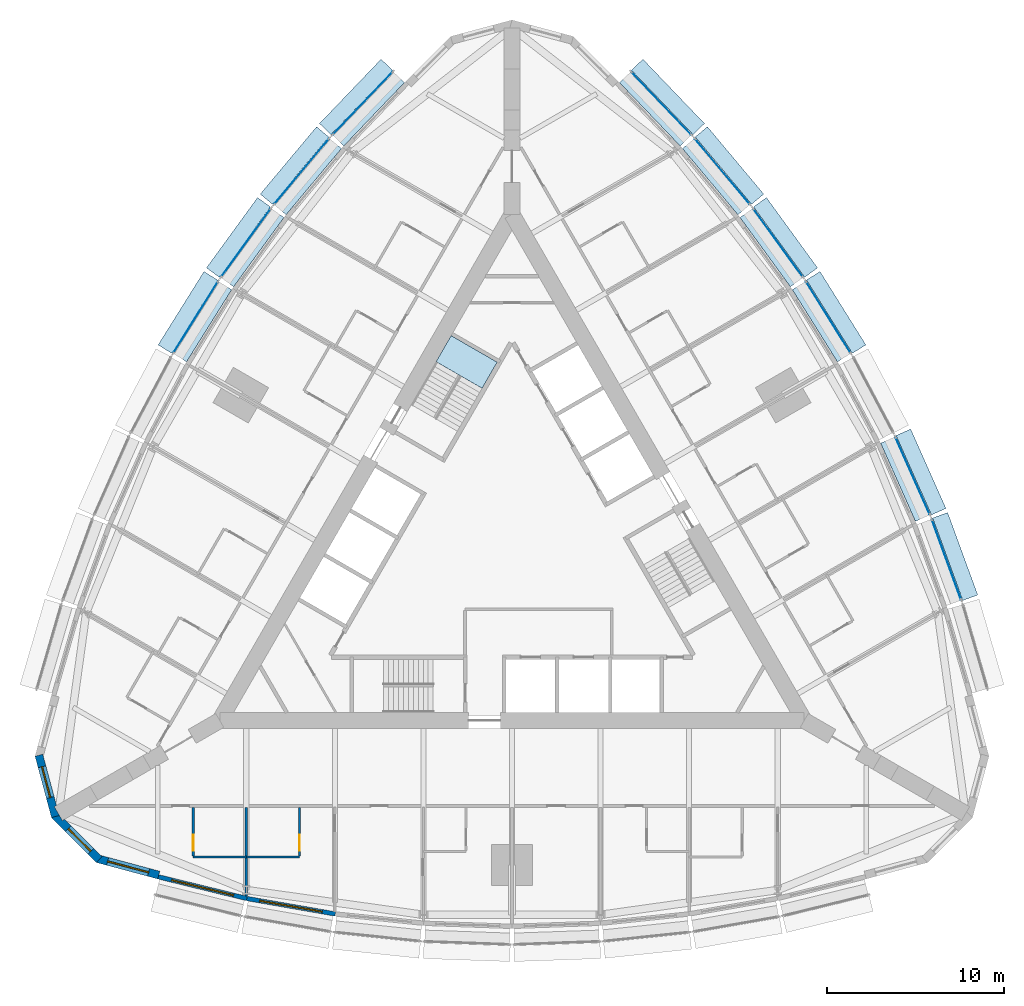
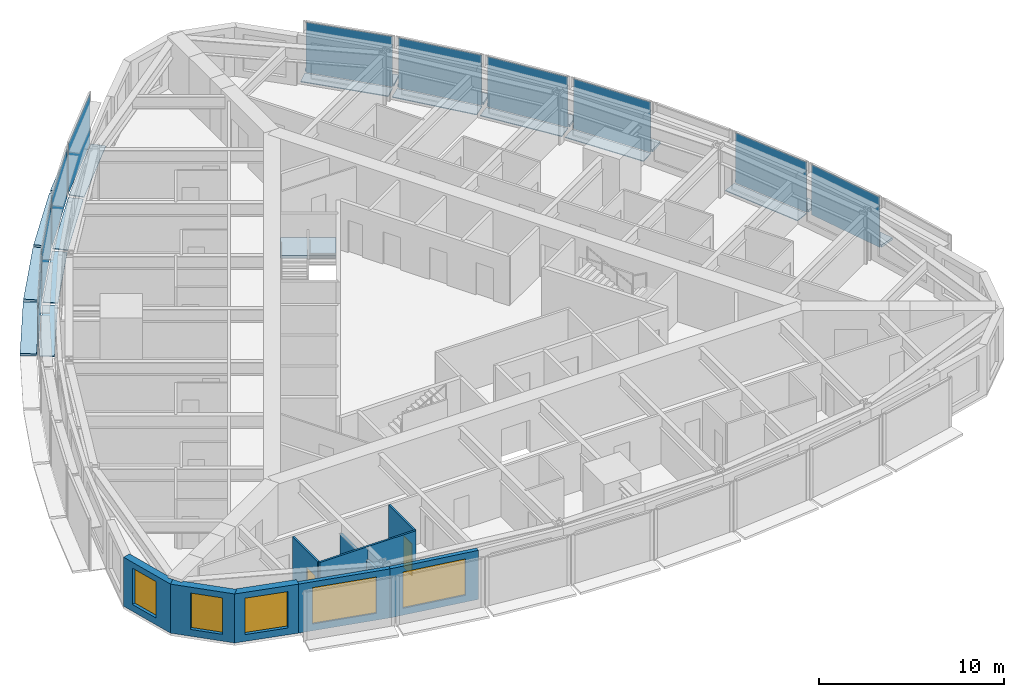
# One storey, part 7 of 14: 29 plates, 10 walls, 5 windows, 2 doors, 1 slab, 7 openings, 11 elements without a shape of their own.
"""IFC4 building model written with IfcOpenShell, lengths in metres."""

from ifc_helpers import new_model, si_unit, direction, frame, frame_2d, origin, origin_2d, place, context, subcontext, project, spatial, polyline, rectangle, outline, extrude, material, layer, layer_set, type_object, element, fill, aggregate, save


model = new_model("IFC4")

# Units and contexts
model_context = context("Model", 3, precision=1e-05, world=origin(), true_north=direction((0.0, 1.0)))
body_context = subcontext(model_context, "Body", "Model", "MODEL_VIEW")
ifc_project = project(units=[si_unit("LENGTHUNIT", "METRE"), si_unit("AREAUNIT", "SQUARE_METRE"), si_unit("VOLUMEUNIT", "CUBIC_METRE"), si_unit("PLANEANGLEUNIT", "RADIAN"), si_unit("MASSUNIT", "GRAM", prefix="KILO")], contexts=[model_context])

# Site, building, storey
site_placement = place(None, origin())
site = spatial("IfcSite", under=ifc_project, at=site_placement, CompositionType="ELEMENT")
building_placement = place(site_placement, origin())
building = spatial("IfcBuilding", under=site, at=building_placement, Name="Trikona Tower", CompositionType="ELEMENT")
storey_placement = place(building_placement, frame((0.0, 0.0, 135.10009765625)))
storey = spatial("IfcBuildingStorey", under=building, at=storey_placement, Name="L35", CompositionType="ELEMENT", Elevation=135.10009765625)

# Plates
ifc_material_1 = material(Name="Aluminium bar grating", Category="aluminium")
ifc_layer_1 = layer(ifc_material_1, 0.050048828125)
ifc_layer_set_1 = layer_set([ifc_layer_1], Name="Cavity catwalk grating")
plate_type_1 = type_object("IfcPlateType", Name="Cavity catwalk grating", PredefinedType="USERDEFINED", material=ifc_layer_set_1)
plate_1_placement = place(storey_placement, frame((22.175048828125, 4.092529296875, -0.05029296875), z_axis=(0.0, 0.0, 1.0), x_axis=(-0.406843467615, 0.913497888809, 0.0)))
element("IfcPlate", 1, at=plate_1_placement, inside=storey, type_object=plate_type_1, Name="Cavity catwalk L35-14", ObjectType="CATWALK GRATING", PredefinedType="USERDEFINED", context=body_context, shape_type="SweptSolid", body=[
    extrude(rectangle(XDim=4.827392578125, YDim=0.830078125, at=origin_2d()), origin(), (0.0, 0.0, 1.0), 0.050048828125),
])
plate_2_placement = place(storey_placement, frame((17.450927734375, 12.978759765625, -0.05029296875), z_axis=(0.0, 0.0, 1.0), x_axis=(-0.529994748414, 0.848000923734, 0.0)))
element("IfcPlate", 2, at=plate_2_placement, inside=storey, type_object=plate_type_1, Name="Cavity catwalk L35-16", ObjectType="CATWALK GRATING", PredefinedType="USERDEFINED", context=body_context, shape_type="SweptSolid", body=[
    extrude(rectangle(XDim=4.802978515625, YDim=0.830078125, at=origin_2d()), origin(), (0.0, 0.0, 1.0), 0.050048828125),
])
plate_3_placement = place(storey_placement, frame((14.6318359375, 17.157958984375, -0.05029296875), z_axis=(0.0, 0.0, 1.0), x_axis=(-0.587686407834, 0.809088799853, 0.0)))
element("IfcPlate", 3, at=plate_3_placement, inside=storey, type_object=plate_type_1, Name="Cavity catwalk L35-17", ObjectType="CATWALK GRATING", PredefinedType="USERDEFINED", context=body_context, shape_type="SweptSolid", body=[
    extrude(rectangle(XDim=4.827392578125, YDim=0.830078125, at=origin_2d()), origin(), (0.0, 0.0, 1.0), 0.050048828125),
])
plate_4_placement = place(storey_placement, frame((11.508056640625, 21.160400390625, -0.05029296875), z_axis=(0.0, 0.0, 1.0), x_axis=(-0.641807063101, 0.766866151133, 0.0)))
element("IfcPlate", 4, at=plate_4_placement, inside=storey, type_object=plate_type_1, Name="Cavity catwalk L35-18", ObjectType="CATWALK GRATING", PredefinedType="USERDEFINED", context=body_context, shape_type="SweptSolid", body=[
    extrude(rectangle(XDim=4.8759765625, YDim=0.830078125, at=origin_2d()), origin(), (0.0, 0.0, 1.0), 0.050048828125),
])
for number, where, z_axis, x_axis, name in (
    (5, (8.080078125, 24.986328125, -0.05029296875), (0.0, 0.0, 1.0), (-0.691723573819, 0.722162376078, 0.0), "Cavity catwalk L35-19"),
    (6, (-8.080078125, 24.986328125, -0.05029296875), (0.0, 0.0, 1.0), (-0.691723573819, -0.722162376078, 0.0), "Cavity catwalk L35-24"),
):
    element("IfcPlate", number, at=place(storey_placement, frame(where, z_axis=z_axis, x_axis=x_axis)), inside=storey, type_object=plate_type_1, Name=name, ObjectType="CATWALK GRATING", PredefinedType="USERDEFINED", context=body_context, shape_type="SweptSolid", body=[
        extrude(rectangle(XDim=4.947998046875, YDim=0.830078125, at=origin_2d()), origin(), (0.0, 0.0, 1.0), 0.050048828125),
    ])
plate_5_placement = place(storey_placement, frame((-11.508056640625, 21.160400390625, -0.05029296875), z_axis=(0.0, 0.0, 1.0), x_axis=(-0.641807063101, -0.766866151133, 0.0)))
element("IfcPlate", 7, at=plate_5_placement, inside=storey, type_object=plate_type_1, Name="Cavity catwalk L35-25", ObjectType="CATWALK GRATING", PredefinedType="USERDEFINED", context=body_context, shape_type="SweptSolid", body=[
    extrude(rectangle(XDim=4.8759765625, YDim=0.830078125, at=origin_2d()), origin(), (0.0, 0.0, 1.0), 0.050048828125),
])
plate_6_placement = place(storey_placement, frame((-14.6318359375, 17.157958984375, -0.05029296875), z_axis=(0.0, 0.0, 1.0), x_axis=(-0.587686407834, -0.809088799853, 0.0)))
element("IfcPlate", 8, at=plate_6_placement, inside=storey, type_object=plate_type_1, Name="Cavity catwalk L35-26", ObjectType="CATWALK GRATING", PredefinedType="USERDEFINED", context=body_context, shape_type="SweptSolid", body=[
    extrude(rectangle(XDim=4.827392578125, YDim=0.830078125, at=origin_2d()), origin(), (0.0, 0.0, 1.0), 0.050048828125),
])
plate_7_placement = place(storey_placement, frame((-17.450927734375, 12.978759765625, -0.05029296875), z_axis=(0.0, 0.0, 1.0), x_axis=(-0.529994748414, -0.848000923734, 0.0)))
element("IfcPlate", 9, at=plate_7_placement, inside=storey, type_object=plate_type_1, Name="Cavity catwalk L35-27", ObjectType="CATWALK GRATING", PredefinedType="USERDEFINED", context=body_context, shape_type="SweptSolid", body=[
    extrude(rectangle(XDim=4.802978515625, YDim=0.830078125, at=origin_2d()), origin(), (0.0, 0.0, 1.0), 0.050048828125),
])

# Curtain wall, plate
ifc_material_2 = material(Name="Aluminium curtain wall system", Category="aluminium")
curtain_wall_type = type_object("IfcCurtainWallType", Name="Curtain wall DS2", PredefinedType="NOTDEFINED", material=ifc_material_2)
curtain_wall_1_placement = place(storey_placement, origin())
curtain_wall_1 = element("IfcCurtainWall", 10, at=curtain_wall_1_placement, inside=storey, type_object=curtain_wall_type, Name="Curtain wall DS2 L35", PredefinedType="NOTDEFINED")
ifc_material_3 = material(Name="Laminated clear glass", Category="glass")
ifc_layer_2 = layer(ifc_material_3, 0.028076171875)
ifc_layer_set_2 = layer_set([ifc_layer_2], Name="Glass panel DS2")
plate_type_2 = type_object("IfcPlateType", Name="Glass panel DS2", PredefinedType="CURTAIN_PANEL", material=ifc_layer_set_2)
plate_8_placement = place(storey_placement, frame((24.53515625, -0.447509765625, 0.0), z_axis=(0.0, 0.0, 1.0), x_axis=(-0.343223420143, 0.939253790978, 0.0)))
plate_8 = element("IfcPlate", 11, at=plate_8_placement, type_object=plate_type_2, Name="CW-DS2 panel 1.1", PredefinedType="CURTAIN_PANEL", context=body_context, shape_type="SweptSolid", body=[
    extrude(rectangle(XDim=4.7958984375, YDim=0.028076171875, at=origin_2d()), origin(), (0.0, 0.0, 1.0), 3.320068359375),
])
aggregate(curtain_wall_1, [plate_8])

curtain_wall_2_placement = place(storey_placement, origin())
curtain_wall_2 = element("IfcCurtainWall", 12, at=curtain_wall_2_placement, inside=storey, type_object=curtain_wall_type, Name="Curtain wall DS2 L35", PredefinedType="NOTDEFINED")
plate_9_placement = place(storey_placement, frame((22.6181640625, 4.289794921875, 0.0), z_axis=(0.0, 0.0, 1.0), x_axis=(-0.406836013132, 0.913501208767, 0.0)))
plate_9 = element("IfcPlate", 13, at=plate_9_placement, type_object=plate_type_2, Name="CW-DS2 panel 1.1", PredefinedType="CURTAIN_PANEL", context=body_context, shape_type="SweptSolid", body=[
    extrude(rectangle(XDim=4.747314453125, YDim=0.028076171875, at=origin_2d()), origin(), (0.0, 0.0, 1.0), 3.320068359375),
])
aggregate(curtain_wall_2, [plate_9])

curtain_wall_3_placement = place(storey_placement, origin())
curtain_wall_3 = element("IfcCurtainWall", 14, at=curtain_wall_3_placement, inside=storey, type_object=curtain_wall_type, Name="Curtain wall DS2 L35", PredefinedType="NOTDEFINED")
plate_10_placement = place(storey_placement, frame((17.8623046875, 13.23583984375, 0.0), z_axis=(0.0, 0.0, 1.0), x_axis=(-0.529998940002, 0.847998304006, 0.0)))
plate_10 = element("IfcPlate", 15, at=plate_10_placement, type_object=plate_type_2, Name="CW-DS2 panel 1.1", PredefinedType="CURTAIN_PANEL", context=body_context, shape_type="SweptSolid", body=[
    extrude(rectangle(XDim=4.72314453125, YDim=0.028076171875, at=origin_2d()), origin(), (0.0, 0.0, 1.0), 3.320068359375),
])
aggregate(curtain_wall_3, [plate_10])

curtain_wall_4_placement = place(storey_placement, origin())
curtain_wall_4 = element("IfcCurtainWall", 16, at=curtain_wall_4_placement, inside=storey, type_object=curtain_wall_type, Name="Curtain wall DS2 L35", PredefinedType="NOTDEFINED")
plate_11_placement = place(storey_placement, frame((15.024169921875, 17.443115234375, 0.0), z_axis=(0.0, 0.0, 1.0), x_axis=(-0.587690588313, 0.80908576332, 0.0)))
plate_11 = element("IfcPlate", 17, at=plate_11_placement, type_object=plate_type_2, Name="CW-DS2 panel 1.1", PredefinedType="CURTAIN_PANEL", context=body_context, shape_type="SweptSolid", body=[
    extrude(rectangle(XDim=4.74755859375, YDim=0.028076171875, at=origin_2d()), origin(), (0.0, 0.0, 1.0), 3.320068359375),
])
aggregate(curtain_wall_4, [plate_11])

curtain_wall_5_placement = place(storey_placement, origin())
curtain_wall_5 = element("IfcCurtainWall", 18, at=curtain_wall_5_placement, inside=storey, type_object=curtain_wall_type, Name="Curtain wall DS2 L35", PredefinedType="NOTDEFINED")
plate_12_placement = place(storey_placement, frame((11.8798828125, 21.4716796875, 0.0), z_axis=(0.0, 0.0, 1.0), x_axis=(-0.641806433248, 0.766866678271, 0.0)))
plate_12 = element("IfcPlate", 19, at=plate_12_placement, type_object=plate_type_2, Name="CW-DS2 panel 1.1", PredefinedType="CURTAIN_PANEL", context=body_context, shape_type="SweptSolid", body=[
    extrude(rectangle(XDim=4.7958984375, YDim=0.028076171875, at=origin_2d()), origin(), (0.0, 0.0, 1.0), 3.320068359375),
])
aggregate(curtain_wall_5, [plate_12])

curtain_wall_6_placement = place(storey_placement, origin())
curtain_wall_6 = element("IfcCurtainWall", 20, at=curtain_wall_6_placement, inside=storey, type_object=curtain_wall_type, Name="Curtain wall DS2 L35", PredefinedType="NOTDEFINED")
plate_13_placement = place(storey_placement, frame((8.430419921875, 25.32177734375, 0.0), z_axis=(0.0, 0.0, 1.0), x_axis=(-0.691727797117, 0.722158330767, 0.0)))
plate_13 = element("IfcPlate", 21, at=plate_13_placement, type_object=plate_type_2, Name="CW-DS2 panel 1.1", PredefinedType="CURTAIN_PANEL", context=body_context, shape_type="SweptSolid", body=[
    extrude(rectangle(XDim=4.867919921875, YDim=0.028076171875, at=origin_2d()), origin(), (0.0, 0.0, 1.0), 3.320068359375),
])
aggregate(curtain_wall_6, [plate_13])

curtain_wall_7_placement = place(storey_placement, origin())
curtain_wall_7 = element("IfcCurtainWall", 22, at=curtain_wall_7_placement, inside=storey, type_object=curtain_wall_type, Name="Curtain wall DS2 L35", PredefinedType="NOTDEFINED")
plate_14_placement = place(storey_placement, frame((-8.430419921875, 25.32177734375, 0.0), z_axis=(0.0, 0.0, 1.0), x_axis=(-0.691727797117, -0.722158330767, 0.0)))
plate_14 = element("IfcPlate", 23, at=plate_14_placement, type_object=plate_type_2, Name="CW-DS2 panel 1.1", PredefinedType="CURTAIN_PANEL", context=body_context, shape_type="SweptSolid", body=[
    extrude(rectangle(XDim=4.867919921875, YDim=0.028076171875, at=origin_2d()), origin(), (0.0, 0.0, 1.0), 3.320068359375),
])
aggregate(curtain_wall_7, [plate_14])

curtain_wall_8_placement = place(storey_placement, origin())
curtain_wall_8 = element("IfcCurtainWall", 24, at=curtain_wall_8_placement, inside=storey, type_object=curtain_wall_type, Name="Curtain wall DS2 L35", PredefinedType="NOTDEFINED")
plate_15_placement = place(storey_placement, frame((-11.8798828125, 21.4716796875, 0.0), z_axis=(0.0, 0.0, 1.0), x_axis=(-0.641806433248, -0.766866678271, 0.0)))
plate_15 = element("IfcPlate", 25, at=plate_15_placement, type_object=plate_type_2, Name="CW-DS2 panel 1.1", PredefinedType="CURTAIN_PANEL", context=body_context, shape_type="SweptSolid", body=[
    extrude(rectangle(XDim=4.7958984375, YDim=0.028076171875, at=origin_2d()), origin(), (0.0, 0.0, 1.0), 3.320068359375),
])
aggregate(curtain_wall_8, [plate_15])

curtain_wall_9_placement = place(storey_placement, origin())
curtain_wall_9 = element("IfcCurtainWall", 26, at=curtain_wall_9_placement, inside=storey, type_object=curtain_wall_type, Name="Curtain wall DS2 L35", PredefinedType="NOTDEFINED")
plate_16_placement = place(storey_placement, frame((-15.024169921875, 17.443115234375, 0.0), z_axis=(0.0, 0.0, 1.0), x_axis=(-0.587690588313, -0.80908576332, 0.0)))
plate_16 = element("IfcPlate", 27, at=plate_16_placement, type_object=plate_type_2, Name="CW-DS2 panel 1.1", PredefinedType="CURTAIN_PANEL", context=body_context, shape_type="SweptSolid", body=[
    extrude(rectangle(XDim=4.74755859375, YDim=0.028076171875, at=origin_2d()), origin(), (0.0, 0.0, 1.0), 3.320068359375),
])
aggregate(curtain_wall_9, [plate_16])

curtain_wall_10_placement = place(storey_placement, origin())
curtain_wall_10 = element("IfcCurtainWall", 28, at=curtain_wall_10_placement, inside=storey, type_object=curtain_wall_type, Name="Curtain wall DS2 L35", PredefinedType="NOTDEFINED")
plate_17_placement = place(storey_placement, frame((-17.8623046875, 13.23583984375, 0.0), z_axis=(0.0, 0.0, 1.0), x_axis=(-0.529998940002, -0.847998304006, 0.0)))
plate_17 = element("IfcPlate", 29, at=plate_17_placement, type_object=plate_type_2, Name="CW-DS2 panel 1.1", PredefinedType="CURTAIN_PANEL", context=body_context, shape_type="SweptSolid", body=[
    extrude(rectangle(XDim=4.72314453125, YDim=0.028076171875, at=origin_2d()), origin(), (0.0, 0.0, 1.0), 3.320068359375),
])
aggregate(curtain_wall_10, [plate_17])

# Plates
ifc_material_4 = material(Name="Aluminium plate fin, pale anodised, on stainless steel outriggers", Category="steel")
ifc_layer_3 = layer(ifc_material_4, 0.14990234375)
ifc_layer_set_3 = layer_set([ifc_layer_3], Name="Outer skin fin 900")
plate_type_3 = type_object("IfcPlateType", Name="Outer skin fin 900", PredefinedType="USERDEFINED", material=ifc_layer_set_3)
plate_18_placement = place(storey_placement, frame((25.0234375, -0.26904296875, 0.0), z_axis=(0.0, 0.0, 1.0), x_axis=(-0.343220397324, 0.939254895575, 0.0)))
element("IfcPlate", 30, at=plate_18_placement, inside=storey, type_object=plate_type_3, Name="Outer skin fin L35-13", ObjectType="FIN", PredefinedType="USERDEFINED", context=body_context, shape_type="SweptSolid", body=[
    extrude(rectangle(XDim=4.9560546875, YDim=0.89990234375, at=origin_2d()), origin(), (0.0, 0.0, 1.0), 0.14990234375),
])
plate_19_placement = place(storey_placement, frame((23.09326171875, 4.50146484375, 0.0), z_axis=(0.0, 0.0, 1.0), x_axis=(-0.406843467615, 0.913497888809, 0.0)))
element("IfcPlate", 31, at=plate_19_placement, inside=storey, type_object=plate_type_3, Name="Outer skin fin L35-14", ObjectType="FIN", PredefinedType="USERDEFINED", context=body_context, shape_type="SweptSolid", body=[
    extrude(rectangle(XDim=4.907470703125, YDim=0.89990234375, at=origin_2d()), origin(), (0.0, 0.0, 1.0), 0.14990234375),
])
plate_20_placement = place(storey_placement, frame((18.30322265625, 13.511474609375, 0.0), z_axis=(0.0, 0.0, 1.0), x_axis=(-0.529994748414, 0.848000923734, 0.0)))
element("IfcPlate", 32, at=plate_20_placement, inside=storey, type_object=plate_type_3, Name="Outer skin fin L35-16", ObjectType="FIN", PredefinedType="USERDEFINED", context=body_context, shape_type="SweptSolid", body=[
    extrude(rectangle(XDim=4.883056640625, YDim=0.89990234375, at=origin_2d()), origin(), (0.0, 0.0, 1.0), 0.14990234375),
])
plate_21_placement = place(storey_placement, frame((15.44482421875, 17.74853515625, 0.0), z_axis=(0.0, 0.0, 1.0), x_axis=(-0.587686407834, 0.809088799853, 0.0)))
element("IfcPlate", 33, at=plate_21_placement, inside=storey, type_object=plate_type_3, Name="Outer skin fin L35-17", ObjectType="FIN", PredefinedType="USERDEFINED", context=body_context, shape_type="SweptSolid", body=[
    extrude(rectangle(XDim=4.907470703125, YDim=0.89990234375, at=origin_2d()), origin(), (0.0, 0.0, 1.0), 0.14990234375),
])
plate_22_placement = place(storey_placement, frame((12.27880859375, 21.8056640625, 0.0), z_axis=(0.0, 0.0, 1.0), x_axis=(-0.641807063101, 0.766866151133, 0.0)))
element("IfcPlate", 34, at=plate_22_placement, inside=storey, type_object=plate_type_3, Name="Outer skin fin L35-18", ObjectType="FIN", PredefinedType="USERDEFINED", context=body_context, shape_type="SweptSolid", body=[
    extrude(rectangle(XDim=4.9560546875, YDim=0.89990234375, at=origin_2d()), origin(), (0.0, 0.0, 1.0), 0.14990234375),
])
for number, where, z_axis, x_axis, name in (
    (35, (8.805908203125, 25.681396484375, 0.0), (0.0, 0.0, 1.0), (-0.691723573819, 0.722162376078, 0.0), "Outer skin fin L35-19"),
    (36, (-8.805908203125, 25.681396484375, 0.0), (0.0, 0.0, 1.0), (-0.691723573819, -0.722162376078, 0.0), "Outer skin fin L35-24"),
):
    element("IfcPlate", number, at=place(storey_placement, frame(where, z_axis=z_axis, x_axis=x_axis)), inside=storey, type_object=plate_type_3, Name=name, ObjectType="FIN", PredefinedType="USERDEFINED", context=body_context, shape_type="SweptSolid", body=[
        extrude(rectangle(XDim=5.02783203125, YDim=0.89990234375, at=origin_2d()), origin(), (0.0, 0.0, 1.0), 0.14990234375),
    ])
plate_23_placement = place(storey_placement, frame((-12.27880859375, 21.8056640625, 0.0), z_axis=(0.0, 0.0, 1.0), x_axis=(-0.641807063101, -0.766866151133, 0.0)))
element("IfcPlate", 37, at=plate_23_placement, inside=storey, type_object=plate_type_3, Name="Outer skin fin L35-25", ObjectType="FIN", PredefinedType="USERDEFINED", context=body_context, shape_type="SweptSolid", body=[
    extrude(rectangle(XDim=4.9560546875, YDim=0.89990234375, at=origin_2d()), origin(), (0.0, 0.0, 1.0), 0.14990234375),
])
plate_24_placement = place(storey_placement, frame((-15.44482421875, 17.74853515625, 0.0), z_axis=(0.0, 0.0, 1.0), x_axis=(-0.587686407834, -0.809088799853, 0.0)))
element("IfcPlate", 38, at=plate_24_placement, inside=storey, type_object=plate_type_3, Name="Outer skin fin L35-26", ObjectType="FIN", PredefinedType="USERDEFINED", context=body_context, shape_type="SweptSolid", body=[
    extrude(rectangle(XDim=4.907470703125, YDim=0.89990234375, at=origin_2d()), origin(), (0.0, 0.0, 1.0), 0.14990234375),
])
plate_25_placement = place(storey_placement, frame((-18.30322265625, 13.511474609375, 0.0), z_axis=(0.0, 0.0, 1.0), x_axis=(-0.529994748414, -0.848000923734, 0.0)))
element("IfcPlate", 39, at=plate_25_placement, inside=storey, type_object=plate_type_3, Name="Outer skin fin L35-27", ObjectType="FIN", PredefinedType="USERDEFINED", context=body_context, shape_type="SweptSolid", body=[
    extrude(rectangle(XDim=4.883056640625, YDim=0.89990234375, at=origin_2d()), origin(), (0.0, 0.0, 1.0), 0.14990234375),
])

# Stair, slab
ifc_material_5 = material(Name="Concrete f'c 5000 psi", Category="concrete")
stair_type = type_object("IfcStairType", Name="Core stair", PredefinedType="HALF_TURN_STAIR", material=ifc_material_5)
stair_placement = place(storey_placement, origin())
stair = element("IfcStair", 40, at=stair_placement, inside=storey, type_object=stair_type, Name="Stair C L35", PredefinedType="HALF_TURN_STAIR")
ifc_material_6 = material(Name="Concrete f'c 5000 psi", Category="concrete")
ifc_layer_4 = layer(ifc_material_6, 0.199951171875)
ifc_layer_set_4 = layer_set([ifc_layer_4], Name="Stair landing 200")
slab_type = type_object("IfcSlabType", Name="Stair landing 200", PredefinedType="LANDING", material=ifc_layer_set_4)
slab_placement = place(storey_placement, frame((0.0, 0.0, 1.5)))
slab = element("IfcSlab", 41, at=slab_placement, type_object=slab_type, Name="ST-C landing 2", PredefinedType="LANDING", context=body_context, shape_type="SweptSolid", body=[
    extrude(outline(polyline([(-0.837158203125, 10.702392578125), (-1.688720703125, 9.2275390625), (-4.286865234375, 10.7275390625), (-3.435302734375, 12.202392578125), (-0.837158203125, 10.702392578125)])), origin(), (0.0, 0.0, 1.0), 0.199951171875),
])
aggregate(stair, [slab])

# Wall
ifc_material_7 = material(Name="Metal stud and cement board", Category="gypsum")
ifc_layer_5 = layer(ifc_material_7, 0.1201171875)
ifc_layer_set_5 = layer_set([ifc_layer_5], Name="Bathroom wall 120")
wall_type_1 = type_object("IfcWallType", Name="Bathroom wall 120", PredefinedType="PLUMBINGWALL", material=ifc_layer_set_5)
wall_1_placement = place(storey_placement, frame((-18.0, -17.226318359375, 0.0), z_axis=(0.0, 0.0, 1.0), x_axis=(1.0, 0.0, 0.0)))
element("IfcWall", 42, at=wall_1_placement, inside=storey, type_object=wall_type_1, Name="Bathroom wall 3501", PredefinedType="PLUMBINGWALL", context=body_context, shape_type="SweptSolid", body=[
    extrude(rectangle(XDim=3.0, YDim=0.1201171875, at=frame_2d((1.5, 0.0))), origin(), (0.0, 0.0, 1.0), 3.23486328125),
])

# Wall, opening, door
wall_2_placement = place(storey_placement, frame((-18.0, -14.42626953125, 0.0), z_axis=(0.0, 0.0, 1.0), x_axis=(0.0, -1.0, 0.0)))
wall_2 = element("IfcWall", 43, at=wall_2_placement, inside=storey, type_object=wall_type_1, Name="Bathroom wall 3501", PredefinedType="PLUMBINGWALL", context=body_context, shape_type="SweptSolid", body=[
    extrude(rectangle(XDim=2.739990234375, YDim=0.1201171875, at=frame_2d((1.3701171875, 0.0))), origin(), (0.0, 0.0, 1.0), 3.23486328125),
])
opening_1_placement = place(wall_2_placement, frame((1.550048828125, 0.0, 0.0)))
opening_1 = element("IfcOpeningElement", 44, at=opening_1_placement, cuts=wall_2, Name="Opening D2", PredefinedType="OPENING", context=body_context, shape_type="SweptSolid", body=[
    extrude(rectangle(XDim=0.89990234375, YDim=2.1298828125, at=frame_2d((0.449951171875, 1.06494140625))), frame((0.0, 0.070068359375, 0.0), z_axis=(0.0, -1.0, 0.0), x_axis=(1.0, 0.0, 0.0)), (0.0, 0.0, 1.0), 0.14013671875),
])
ifc_material_8 = material(Name="Steel door frame with solid-core timber leaf", Category="steel")
door_type = type_object("IfcDoorType", Name="Bathroom door 900x2130", OperationType="SLIDING_TO_LEFT", PredefinedType="DOOR", material=ifc_material_8)
door_1_placement = place(opening_1_placement, origin())
door_1 = element("IfcDoor", 45, at=door_1_placement, inside=storey, type_object=door_type, Name="Bathroom door 3501", OperationType="SLIDING_TO_LEFT", OverallHeight=2.1298828125, OverallWidth=0.89990234375, PredefinedType="DOOR", context=body_context, shape_type="SweptSolid", body=[
    extrude(rectangle(XDim=0.89990234375, YDim=2.1298828125, at=frame_2d((0.449951171875, 1.06494140625))), frame((0.0, 0.02490234375, 0.0), z_axis=(0.0, -1.0, 0.0), x_axis=(1.0, 0.0, 0.0)), (0.0, 0.0, 1.0), 0.050048828125),
])
fill(opening_1, door_1)

# Wall
wall_3_placement = place(storey_placement, frame((-15.0, -17.226318359375, 0.0), z_axis=(0.0, 0.0, 1.0), x_axis=(1.0, 0.0, 0.0)))
element("IfcWall", 46, at=wall_3_placement, inside=storey, type_object=wall_type_1, Name="Bathroom wall 3502.1", PredefinedType="PLUMBINGWALL", context=body_context, shape_type="SweptSolid", body=[
    extrude(rectangle(XDim=3.0, YDim=0.1201171875, at=frame_2d((1.5, 0.0))), origin(), (0.0, 0.0, 1.0), 3.23486328125),
])

# Wall, opening, door
wall_4_placement = place(storey_placement, frame((-12.0, -14.42626953125, 0.0), z_axis=(0.0, 0.0, 1.0), x_axis=(0.0, -1.0, 0.0)))
wall_4 = element("IfcWall", 47, at=wall_4_placement, inside=storey, type_object=wall_type_1, Name="Bathroom wall 3502.1", PredefinedType="PLUMBINGWALL", context=body_context, shape_type="SweptSolid", body=[
    extrude(rectangle(XDim=2.739990234375, YDim=0.1201171875, at=frame_2d((1.3701171875, 0.0))), origin(), (0.0, 0.0, 1.0), 3.23486328125),
])
opening_2_placement = place(wall_4_placement, frame((1.550048828125, 0.0, 0.0)))
opening_2 = element("IfcOpeningElement", 48, at=opening_2_placement, cuts=wall_4, Name="Opening D2", PredefinedType="OPENING", context=body_context, shape_type="SweptSolid", body=[
    extrude(rectangle(XDim=0.89990234375, YDim=2.1298828125, at=frame_2d((0.449951171875, 1.06494140625))), frame((0.0, 0.070068359375, 0.0), z_axis=(0.0, -1.0, 0.0), x_axis=(1.0, 0.0, 0.0)), (0.0, 0.0, 1.0), 0.14013671875),
])
door_2_placement = place(opening_2_placement, origin())
door_2 = element("IfcDoor", 49, at=door_2_placement, inside=storey, type_object=door_type, Name="Bathroom door 3502.1", OperationType="SLIDING_TO_LEFT", OverallHeight=2.1298828125, OverallWidth=0.89990234375, PredefinedType="DOOR", context=body_context, shape_type="SweptSolid", body=[
    extrude(rectangle(XDim=0.89990234375, YDim=2.1298828125, at=frame_2d((0.449951171875, 1.06494140625))), frame((0.0, 0.02490234375, 0.0), z_axis=(0.0, -1.0, 0.0), x_axis=(1.0, 0.0, 0.0)), (0.0, 0.0, 1.0), 0.050048828125),
])
fill(opening_2, door_2)

# Wall, opening, window
ifc_material_9 = material(Name="Brick-faced precast concrete", Category="masonry")
ifc_layer_6 = layer(ifc_material_9, 0.449951171875)
ifc_layer_set_6 = layer_set([ifc_layer_6], Name="Brick-faced corner wall 450")
wall_type_2 = type_object("IfcWallType", Name="Brick-faced corner wall 450", PredefinedType="SOLIDWALL", material=ifc_layer_set_6)
wall_5_placement = place(storey_placement, frame((-26.7109375, -11.48876953125, 0.0), z_axis=(0.0, 0.0, 1.0), x_axis=(0.258823421857, -0.965924653531, 0.0)))
wall_5 = element("IfcWall", 50, at=wall_5_placement, inside=storey, type_object=wall_type_2, Name="External wall L35-33", PredefinedType="SOLIDWALL", context=body_context, shape_type="SweptSolid", body=[
    extrude(outline(polyline([(3.58642578125, 0.22509765625), (3.52685546875, 0.22509765625), (3.03515625, 0.09326171875), (3.0, 0.22509765625), (0.0, 0.22509765625), (0.0, -0.22509765625), (3.58642578125, -0.22509765625), (3.58642578125, 0.22509765625)])), origin(), (0.0, 0.0, 1.0), 3.23486328125),
])
opening_3_placement = place(wall_5_placement, frame((0.6748046875, 0.0, 0.449951171875)))
opening_3 = element("IfcOpeningElement", 51, at=opening_3_placement, cuts=wall_5, Name="Opening W1824", PredefinedType="OPENING", context=body_context, shape_type="SweptSolid", body=[
    extrude(rectangle(XDim=1.800048828125, YDim=2.39990234375, at=frame_2d((0.89990234375, 1.199951171875))), frame((0.0, 0.23486328125, 0.0), z_axis=(0.0, -1.0, 0.0), x_axis=(1.0, 0.0, 0.0)), (0.0, 0.0, 1.0), 0.469970703125),
])
ifc_material_10 = material(Name="Aluminium-framed double glazing", Category="aluminium")
window_type_1 = type_object("IfcWindowType", Name="Window 1800x2400", PartitioningType="SINGLE_PANEL", PredefinedType="WINDOW", material=ifc_material_10)
window_1_placement = place(opening_3_placement, origin())
window_1 = element("IfcWindow", 52, at=window_1_placement, inside=storey, type_object=window_type_1, Name="Window 3516", OverallHeight=2.39990234375, OverallWidth=1.800048828125, PartitioningType="SINGLE_PANEL", PredefinedType="WINDOW", context=body_context, shape_type="SweptSolid", body=[
    extrude(rectangle(XDim=1.800048828125, YDim=2.39990234375, at=frame_2d((0.89990234375, 1.199951171875))), frame((0.0, 0.030029296875, 0.0), z_axis=(0.0, -1.0, 0.0), x_axis=(1.0, 0.0, 0.0)), (0.0, 0.0, 1.0), 0.06005859375),
])
fill(opening_3, window_1)

wall_6_placement = place(storey_placement, frame((-25.8408203125, -14.85205078125, 0.0), z_axis=(0.0, 0.0, 1.0), x_axis=(0.707106781187, -0.707106781187, 0.0)))
wall_6 = element("IfcWall", 53, at=wall_6_placement, inside=storey, type_object=wall_type_2, Name="External wall L35-34", PredefinedType="SOLIDWALL", context=body_context, shape_type="SweptSolid", body=[
    extrude(outline(polyline([(3.586181640625, 0.22509765625), (0.58642578125, 0.22509765625), (0.551025390625, 0.09326171875), (0.05908203125, 0.22509765625), (0.0, 0.22509765625), (0.0, -0.22509765625), (3.586181640625, -0.22509765625), (3.586181640625, 0.22509765625)])), origin(), (0.0, 0.0, 1.0), 3.23486328125),
])
opening_4_placement = place(wall_6_placement, frame((1.111328125, 0.0, 0.449951171875)))
opening_4 = element("IfcOpeningElement", 54, at=opening_4_placement, cuts=wall_6, Name="Opening W1824", PredefinedType="OPENING", context=body_context, shape_type="SweptSolid", body=[
    extrude(rectangle(XDim=1.800048828125, YDim=2.39990234375, at=frame_2d((0.89990234375, 1.199951171875))), frame((0.0, 0.23486328125, 0.0), z_axis=(0.0, -1.0, 0.0), x_axis=(1.0, 0.0, 0.0)), (0.0, 0.0, 1.0), 0.469970703125),
])
window_2_placement = place(opening_4_placement, origin())
window_2 = element("IfcWindow", 55, at=window_2_placement, inside=storey, type_object=window_type_1, Name="Window 3501", OverallHeight=2.39990234375, OverallWidth=1.800048828125, PartitioningType="SINGLE_PANEL", PredefinedType="WINDOW", context=body_context, shape_type="SweptSolid", body=[
    extrude(rectangle(XDim=1.800048828125, YDim=2.39990234375, at=frame_2d((0.89990234375, 1.199951171875))), frame((0.0, 0.030029296875, 0.0), z_axis=(0.0, -1.0, 0.0), x_axis=(1.0, 0.0, 0.0)), (0.0, 0.0, 1.0), 0.06005859375),
])
fill(opening_4, window_2)

wall_7_placement = place(storey_placement, frame((-23.406005859375, -17.32958984375, 0.0), z_axis=(0.0, 0.0, 1.0), x_axis=(0.965924653531, -0.258823421857, 0.0)))
wall_7 = element("IfcWall", 56, at=wall_7_placement, inside=storey, type_object=wall_type_2, Name="External wall L35-35", PredefinedType="SOLIDWALL", context=body_context, shape_type="SweptSolid", body=[
    extrude(rectangle(XDim=3.58642578125, YDim=0.449951171875, at=frame_2d((1.793212890625, 0.0))), origin(), (0.0, 0.0, 1.0), 3.23486328125),
])
opening_5_placement = place(wall_7_placement, frame((0.593017578125, 0.0, 0.449951171875)))
opening_5 = element("IfcOpeningElement", 57, at=opening_5_placement, cuts=wall_7, Name="Opening W2424", PredefinedType="OPENING", context=body_context, shape_type="SweptSolid", body=[
    extrude(rectangle(XDim=2.39990234375, YDim=2.39990234375, at=frame_2d((1.199951171875, 1.199951171875))), frame((0.0, 0.23486328125, 0.0), z_axis=(0.0, -1.0, 0.0), x_axis=(1.0, 0.0, 0.0)), (0.0, 0.0, 1.0), 0.469970703125),
])
ifc_material_11 = material(Name="Aluminium-framed double glazing", Category="aluminium")
window_type_2 = type_object("IfcWindowType", Name="Window 2400x2400", PartitioningType="SINGLE_PANEL", PredefinedType="WINDOW", material=ifc_material_11)
window_3_placement = place(opening_5_placement, origin())
window_3 = element("IfcWindow", 58, at=window_3_placement, inside=storey, type_object=window_type_2, Name="Window 3501", OverallHeight=2.39990234375, OverallWidth=2.39990234375, PartitioningType="SINGLE_PANEL", PredefinedType="WINDOW", context=body_context, shape_type="SweptSolid", body=[
    extrude(rectangle(XDim=2.39990234375, YDim=2.39990234375, at=frame_2d((1.199951171875, 1.199951171875))), frame((0.0, 0.030029296875, 0.0), z_axis=(0.0, -1.0, 0.0), x_axis=(1.0, 0.0, 0.0)), (0.0, 0.0, 1.0), 0.06005859375),
])
fill(opening_5, window_3)

ifc_material_12 = material(Name="Insulated precast concrete spandrel panel", Category="concrete")
ifc_layer_7 = layer(ifc_material_12, 0.25)
ifc_layer_set_7 = layer_set([ifc_layer_7], Name="Inner skin wall 250")
wall_type_3 = type_object("IfcWallType", Name="Inner skin wall 250", PredefinedType="STANDARD", material=ifc_layer_set_7)
wall_8_placement = place(storey_placement, frame((-19.97021484375, -18.353759765625, 0.0), z_axis=(0.0, 0.0, 1.0), x_axis=(0.971270024053, -0.237980126011, 0.0)))
wall_8 = element("IfcWall", 59, at=wall_8_placement, inside=storey, type_object=wall_type_3, Name="External wall L35-00", PredefinedType="STANDARD", context=body_context, shape_type="SweptSolid", body=[
    extrude(rectangle(XDim=5.14794921875, YDim=0.25, at=frame_2d((2.573974609375, 0.0))), origin(), (0.0, 0.0, 1.0), 3.23486328125),
])
opening_6_placement = place(wall_8_placement, frame((0.77392578125, 0.0, 0.449951171875)))
opening_6 = element("IfcOpeningElement", 60, at=opening_6_placement, cuts=wall_8, Name="Opening W3624", PredefinedType="OPENING", context=body_context, shape_type="SweptSolid", body=[
    extrude(rectangle(XDim=3.60009765625, YDim=2.39990234375, at=frame_2d((1.800048828125, 1.199951171875))), frame((0.0, 0.135009765625, 0.0), z_axis=(0.0, -1.0, 0.0), x_axis=(1.0, 0.0, 0.0)), (0.0, 0.0, 1.0), 0.27001953125),
])
ifc_material_13 = material(Name="Aluminium-framed double glazing", Category="aluminium")
window_type_3 = type_object("IfcWindowType", Name="Window 3600x2400", PartitioningType="SINGLE_PANEL", PredefinedType="WINDOW", material=ifc_material_13)
window_4_placement = place(opening_6_placement, origin())
window_4 = element("IfcWindow", 61, at=window_4_placement, inside=storey, type_object=window_type_3, Name="Window 3501", OverallHeight=2.39990234375, OverallWidth=3.60009765625, PartitioningType="SINGLE_PANEL", PredefinedType="WINDOW", context=body_context, shape_type="SweptSolid", body=[
    extrude(rectangle(XDim=3.60009765625, YDim=2.39990234375, at=frame_2d((1.800048828125, 1.199951171875))), frame((0.0, 0.030029296875, 0.0), z_axis=(0.0, -1.0, 0.0), x_axis=(1.0, 0.0, 0.0)), (0.0, 0.0, 1.0), 0.06005859375),
])
fill(opening_6, window_4)

wall_9_placement = place(storey_placement, frame((-14.978515625, -19.5771484375, 0.0), z_axis=(0.0, 0.0, 1.0), x_axis=(0.985030467156, -0.172380331752, 0.0)))
wall_9 = element("IfcWall", 62, at=wall_9_placement, inside=storey, type_object=wall_type_3, Name="External wall L35-01", PredefinedType="STANDARD", context=body_context, shape_type="SweptSolid", body=[
    extrude(rectangle(XDim=5.075927734375, YDim=0.25, at=frame_2d((2.5380859375, 0.0))), origin(), (0.0, 0.0, 1.0), 3.23486328125),
])
opening_7_placement = place(wall_9_placement, frame((0.738037109375, 0.0, 0.449951171875)))
opening_7 = element("IfcOpeningElement", 63, at=opening_7_placement, cuts=wall_9, Name="Opening W3624", PredefinedType="OPENING", context=body_context, shape_type="SweptSolid", body=[
    extrude(rectangle(XDim=3.60009765625, YDim=2.39990234375, at=frame_2d((1.800048828125, 1.199951171875))), frame((0.0, 0.135009765625, 0.0), z_axis=(0.0, -1.0, 0.0), x_axis=(1.0, 0.0, 0.0)), (0.0, 0.0, 1.0), 0.27001953125),
])
window_5_placement = place(opening_7_placement, origin())
window_5 = element("IfcWindow", 64, at=window_5_placement, inside=storey, type_object=window_type_3, Name="Window 3502.1", OverallHeight=2.39990234375, OverallWidth=3.60009765625, PartitioningType="SINGLE_PANEL", PredefinedType="WINDOW", context=body_context, shape_type="SweptSolid", body=[
    extrude(rectangle(XDim=3.60009765625, YDim=2.39990234375, at=frame_2d((1.800048828125, 1.199951171875))), frame((0.0, 0.030029296875, 0.0), z_axis=(0.0, -1.0, 0.0), x_axis=(1.0, 0.0, 0.0)), (0.0, 0.0, 1.0), 0.06005859375),
])
fill(opening_7, window_5)

# Wall
ifc_material_14 = material(Name="Metal stud and gypsum board, 1-hour acoustic", Category="gypsum")
ifc_layer_8 = layer(ifc_material_14, 0.14990234375)
ifc_layer_set_8 = layer_set([ifc_layer_8], Name="Party wall 150")
wall_type_4 = type_object("IfcWallType", Name="Party wall 150", PredefinedType="PARTITIONING", material=ifc_layer_set_8)
wall_10_placement = place(storey_placement, frame((-15.0, -14.42626953125, 0.0), z_axis=(0.0, 0.0, 1.0), x_axis=(0.0, -1.0, 0.0)))
element("IfcWall", 65, at=wall_10_placement, inside=storey, type_object=wall_type_4, Name="Partition L35 F1 u-15", PredefinedType="PARTITIONING", context=body_context, shape_type="SweptSolid", body=[
    extrude(rectangle(XDim=5.0166015625, YDim=0.14990234375, at=frame_2d((2.50830078125, 0.0))), origin(), (0.0, 0.0, 1.0), 2.38916015625),
])

save(model, "model.ifc")
